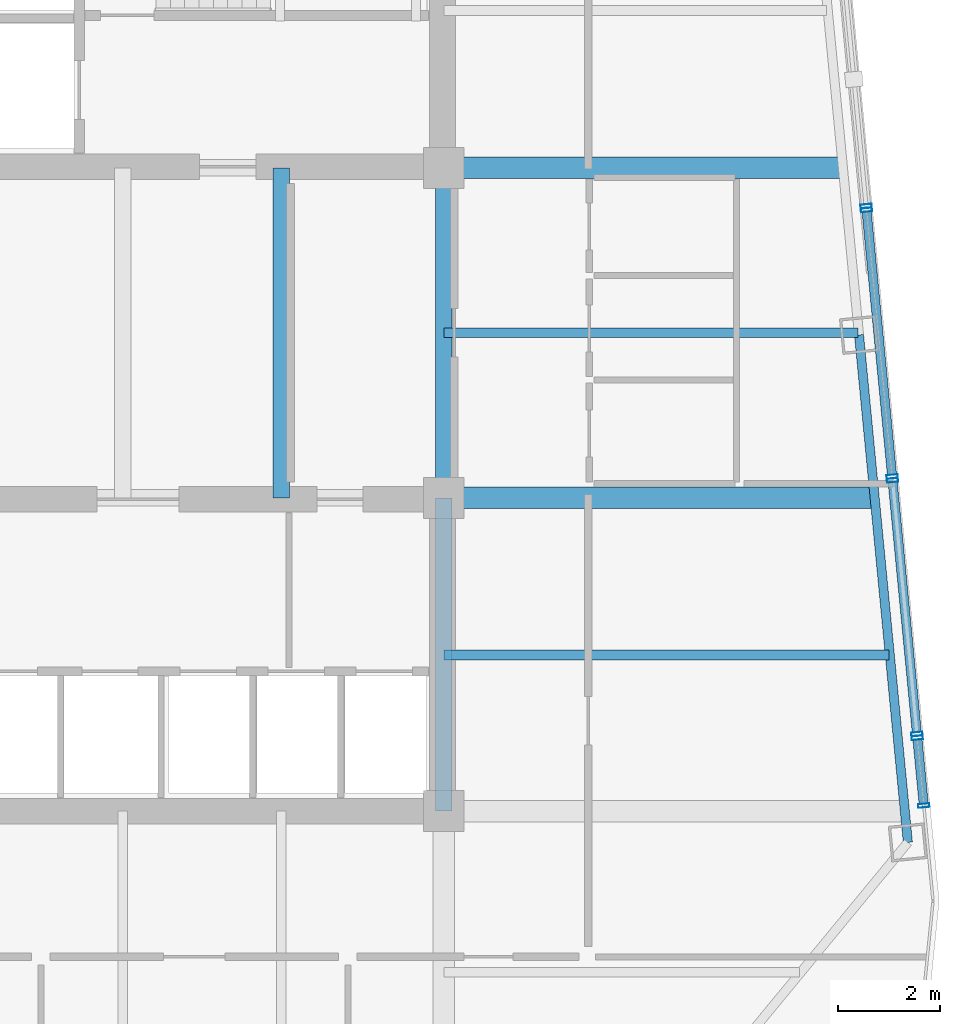
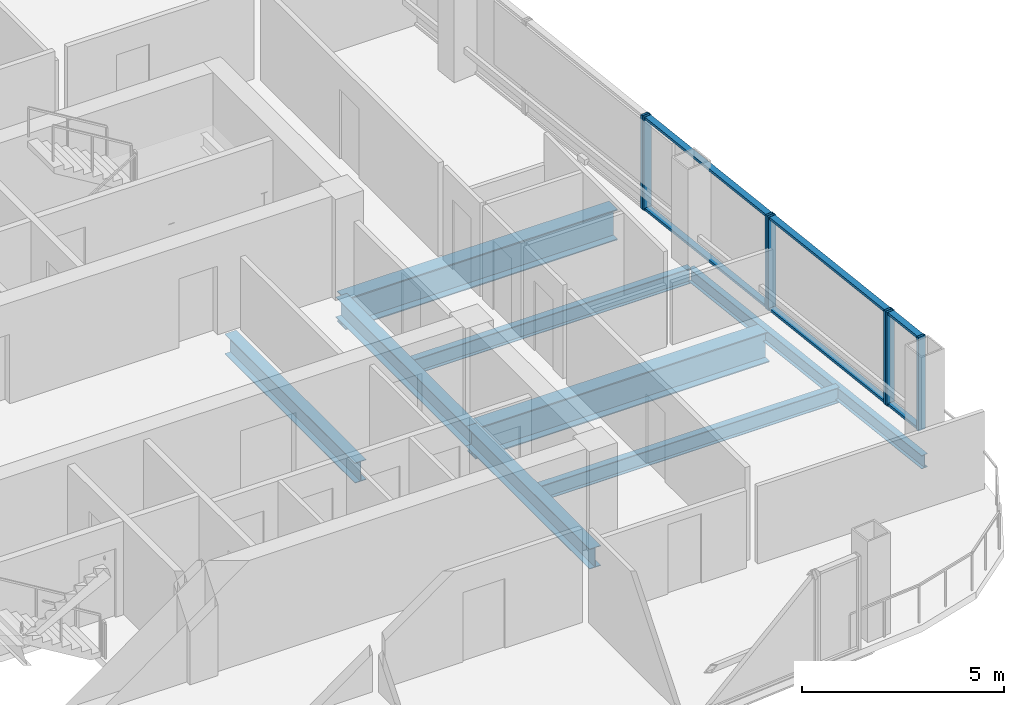
# One storey, part 14 of 29: 13 members, 8 beams, 4 elements without a shape of their own.
"""IFC4 building model written with IfcOpenShell, lengths in metres."""

from ifc_helpers import new_model, si_unit, direction, frame, origin, origin_2d, place, context, subcontext, project, spatial, hollow_rectangle, i_section, extrude, material, layer, layer_set, material_profile, profile_set, type_object, element, aggregate, save


model = new_model("IFC4")

# Units and contexts
model_context = context("Model", 3, precision=1e-05, world=origin(), true_north=direction((0.0, 1.0)))
body_context = subcontext(model_context, "Body", "Model", "MODEL_VIEW")
ifc_project = project(units=[si_unit("LENGTHUNIT", "METRE"), si_unit("AREAUNIT", "SQUARE_METRE"), si_unit("VOLUMEUNIT", "CUBIC_METRE"), si_unit("PLANEANGLEUNIT", "RADIAN"), si_unit("MASSUNIT", "GRAM", prefix="KILO")], contexts=[model_context])

# Site, building, storey
site_placement = place(None, origin())
site = spatial("IfcSite", under=ifc_project, at=site_placement, CompositionType="ELEMENT")
building_placement = place(site_placement, origin())
building = spatial("IfcBuilding", under=site, at=building_placement, Name="Qhalaya Broadcast Tower", CompositionType="ELEMENT")
storey_placement = place(building_placement, frame((0.0, 0.0, 177.5)))
storey = spatial("IfcBuildingStorey", under=building, at=storey_placement, Name="L52", CompositionType="ELEMENT", Elevation=177.5)

# Beams
ifc_material_1 = material(Name="Structural Steel ASTM A992 Grade 50", Category="steel")
ifc_material_profile_1 = material_profile(ifc_material_1, i_section(OverallWidth=0.19189453125, OverallDepth=0.462890625, WebThickness=0.010498046875, FlangeThickness=0.017578125, at=origin_2d()), Name="W18X60")
ifc_profile_set_1 = profile_set([ifc_material_profile_1], Name="Structural Steel ASTM A992 Grade 50")
beam_type_1 = type_object("IfcBeamType", Name="Composite Floor Joist J03", PredefinedType="JOIST", material=ifc_profile_set_1)
beam_1_placement = place(storey_placement, frame((9.375, -5.699951171875, -0.451416015625), z_axis=(1.0, 0.0, 0.0), x_axis=(0.0, 1.0, 0.0)))
element("IfcBeam", 1, at=beam_1_placement, inside=storey, type_object=beam_type_1, Name="L52 J03 L52-JWE3E-1", PredefinedType="JOIST", context=body_context, shape_type="SweptSolid", body=[
    extrude(i_section(OverallWidth=0.19189453125, OverallDepth=0.462890625, WebThickness=0.010498046875, FlangeThickness=0.017578125, at=origin_2d()), origin(), (0.0, 0.0, 1.0), 8.7001953125),
])
beam_2_placement = place(storey_placement, frame((9.375, 0.60009765625, -0.451416015625), z_axis=(1.0, 0.0, 0.0), x_axis=(0.0, 1.0, 0.0)))
element("IfcBeam", 2, at=beam_2_placement, inside=storey, type_object=beam_type_1, Name="L52 J03 L52-JWE4E-1", PredefinedType="JOIST", context=body_context, shape_type="SweptSolid", body=[
    extrude(i_section(OverallWidth=0.19189453125, OverallDepth=0.462890625, WebThickness=0.010498046875, FlangeThickness=0.017578125, at=origin_2d()), origin(), (0.0, 0.0, 1.0), 8.093505859375),
])
ifc_material_profile_2 = material_profile(ifc_material_1, i_section(OverallWidth=0.323974609375, OverallDepth=0.612060546875, WebThickness=0.0126953125, FlangeThickness=0.01904296875, at=origin_2d()), Name="W24X104")
ifc_profile_set_2 = profile_set([ifc_material_profile_2], Name="Structural Steel ASTM A992 Grade 50")
beam_type_2 = type_object("IfcBeamType", Name="Core Frame Tie Beam B04", PredefinedType="BEAM", material=ifc_profile_set_2)
beam_3_placement = place(storey_placement, frame((9.375, -8.75, -0.52587890625), z_axis=(0.0, 1.0, 0.0), x_axis=(-1.0, 0.0, 0.0)))
element("IfcBeam", 3, at=beam_3_placement, inside=storey, type_object=beam_type_2, Name="L52 B04 L52-CCS2", PredefinedType="BEAM", context=body_context, shape_type="SweptSolid", body=[
    extrude(i_section(OverallWidth=0.323974609375, OverallDepth=0.612060546875, WebThickness=0.0126953125, FlangeThickness=0.01904296875, at=origin_2d()), origin(), (0.0, 0.0, 1.0), 6.125),
])
for number, where, z_axis, x_axis, name in (
    (4, (9.375, -2.625, -0.52587890625), (0.0, 1.0, 0.0), (-1.0, 0.0, 0.0), "L52 B04 L52-CCE"),
    (5, (6.199951171875, -2.625, -0.52587890625), (0.0, 1.0, 0.0), (-1.0, 0.0, 0.0), "L52 B04 L52-JC5-1"),
):
    element("IfcBeam", number, at=place(storey_placement, frame(where, z_axis=z_axis, x_axis=x_axis)), inside=storey, type_object=beam_type_2, Name=name, PredefinedType="BEAM", context=body_context, shape_type="SweptSolid", body=[
        extrude(i_section(OverallWidth=0.323974609375, OverallDepth=0.612060546875, WebThickness=0.0126953125, FlangeThickness=0.01904296875, at=origin_2d()), origin(), (0.0, 0.0, 1.0), 6.449951171875),
    ])
ifc_material_profile_3 = material_profile(ifc_material_1, i_section(OverallWidth=0.4189453125, OverallDepth=0.927001953125, WebThickness=0.019287109375, FlangeThickness=0.031982421875, at=origin_2d()), Name="W36X231")
ifc_profile_set_3 = profile_set([ifc_material_profile_3], Name="Structural Steel ASTM A992 Grade 50")
beam_type_3 = type_object("IfcBeamType", Name="Mid Block Primary Girder PG3", PredefinedType="USERDEFINED", material=ifc_profile_set_3)
beam_4_placement = place(storey_placement, frame((9.375, -2.625, -0.68359375), z_axis=(1.0, 0.0, 0.0), x_axis=(0.0, 1.0, 0.0)))
element("IfcBeam", 6, at=beam_4_placement, inside=storey, type_object=beam_type_3, Name="L52 PG3 L52-PGYE2-1", ObjectType="GIRDER", PredefinedType="USERDEFINED", context=body_context, shape_type="SweptSolid", body=[
    extrude(i_section(OverallWidth=0.4189453125, OverallDepth=0.927001953125, WebThickness=0.019287109375, FlangeThickness=0.031982421875, at=origin_2d()), origin(), (0.0, 0.0, 1.0), 8.404052734375),
])
beam_5_placement = place(storey_placement, frame((9.375, 3.824951171875, -0.68359375), z_axis=(1.0, 0.0, 0.0), x_axis=(0.0, 1.0, 0.0)))
element("IfcBeam", 7, at=beam_5_placement, inside=storey, type_object=beam_type_3, Name="L52 PG3 L52-PGYE3-1", ObjectType="GIRDER", PredefinedType="USERDEFINED", context=body_context, shape_type="SweptSolid", body=[
    extrude(i_section(OverallWidth=0.4189453125, OverallDepth=0.927001953125, WebThickness=0.019287109375, FlangeThickness=0.031982421875, at=origin_2d()), origin(), (0.0, 0.0, 1.0), 7.782958984375),
])

# Curtain wall, members
ifc_material_2 = material(Name="Solar-Control Low-E Triple Glazing", Category="glass")
ifc_layer_1 = layer(ifc_material_2, 0.219970703125, Name="Solar-Control Low-E Triple Glazing")
ifc_layer_set_1 = layer_set([ifc_layer_1], Name="Solar-Control Low-E Triple Glazing")
curtain_wall_type_1 = type_object("IfcCurtainWallType", Name="Even-Block 4-Storey Double-Module Curtain Wall CW-03", PredefinedType="NOTDEFINED", material=ifc_layer_set_1)
curtain_wall_1_placement = place(storey_placement, origin())
curtain_wall_1 = element("IfcCurtainWall", 8, at=curtain_wall_1_placement, inside=storey, type_object=curtain_wall_type_1, Name="L52 Unitised Curtain Wall L52-CW-E1", PredefinedType="NOTDEFINED")
ifc_material_3 = material(Name="Anodised Aluminium 6063-T6", Category="aluminium")
ifc_material_profile_4 = material_profile(ifc_material_3, hollow_rectangle(XDim=0.074951171875, YDim=0.219970703125, WallThickness=0.00390625, at=origin_2d()), Name="ALU-MUL 75x220x4")
ifc_profile_set_4 = profile_set([ifc_material_profile_4], Name="Anodised Aluminium 6063-T6")
member_type_1 = type_object("IfcMemberType", Name="Unitised Curtain-Wall Mullion M01", PredefinedType="MULLION", material=ifc_profile_set_4)
member_1_placement = place(storey_placement, frame((18.76025390625, -8.64111328125, 0.0), z_axis=(0.0, 0.0, 1.0), x_axis=(-0.095873796301, 0.99539349766, 0.0)))
member_1 = element("IfcMember", 9, at=member_1_placement, type_object=member_type_1, Name="CW-03 mullion 1", PredefinedType="MULLION", context=body_context, shape_type="SweptSolid", body=[
    extrude(hollow_rectangle(XDim=0.074951171875, YDim=0.219970703125, WallThickness=0.00390625, at=origin_2d()), origin(), (0.0, 0.0, 1.0), 2.830078125),
])
member_2_placement = place(storey_placement, frame((18.6328125, -7.3173828125, 0.0), z_axis=(0.0, 0.0, 1.0), x_axis=(-0.095873796301, 0.99539349766, 0.0)))
member_2 = element("IfcMember", 10, at=member_2_placement, type_object=member_type_1, Name="CW-03 mullion 2", PredefinedType="MULLION", context=body_context, shape_type="SweptSolid", body=[
    extrude(hollow_rectangle(XDim=0.074951171875, YDim=0.219970703125, WallThickness=0.00390625, at=origin_2d()), origin(), (0.0, 0.0, 1.0), 2.830078125),
])

ifc_material_4 = material(Name="Fired Architectural Terracotta", Category="masonry")
ifc_layer_2 = layer(ifc_material_4, 0.219970703125, Name="Fired Architectural Terracotta")
ifc_layer_set_2 = layer_set([ifc_layer_2], Name="Fired Architectural Terracotta")
curtain_wall_type_2 = type_object("IfcCurtainWallType", Name="Block-Cap Unitised Terracotta Spandrel Wall CW-07", PredefinedType="NOTDEFINED", material=ifc_layer_set_2)
curtain_wall_2_placement = place(storey_placement, origin())
curtain_wall_2 = element("IfcCurtainWall", 11, at=curtain_wall_2_placement, inside=storey, type_object=curtain_wall_type_2, Name="L52 Unitised Curtain Wall L52-CW-E2", PredefinedType="NOTDEFINED")
member_3_placement = place(storey_placement, frame((18.62548828125, -7.24267578125, 0.0), z_axis=(0.0, 0.0, 1.0), x_axis=(-0.09584506238, 0.99539626482, 0.0)))
member_3 = element("IfcMember", 12, at=member_3_placement, type_object=member_type_1, Name="CW-07 mullion 1", PredefinedType="MULLION", context=body_context, shape_type="SweptSolid", body=[
    extrude(hollow_rectangle(XDim=0.074951171875, YDim=0.219970703125, WallThickness=0.00390625, at=origin_2d()), origin(), (0.0, 0.0, 1.0), 2.830078125),
])
member_4_placement = place(storey_placement, frame((18.148193359375, -2.284423828125, 0.0), z_axis=(0.0, 0.0, 1.0), x_axis=(-0.09584506238, 0.99539626482, 0.0)))
member_4 = element("IfcMember", 13, at=member_4_placement, type_object=member_type_1, Name="CW-07 mullion 2", PredefinedType="MULLION", context=body_context, shape_type="SweptSolid", body=[
    extrude(hollow_rectangle(XDim=0.074951171875, YDim=0.219970703125, WallThickness=0.00390625, at=origin_2d()), origin(), (0.0, 0.0, 1.0), 2.830078125),
])

curtain_wall_3_placement = place(storey_placement, origin())
curtain_wall_3 = element("IfcCurtainWall", 14, at=curtain_wall_3_placement, inside=storey, type_object=curtain_wall_type_1, Name="L52 Unitised Curtain Wall L52-CW-E3", PredefinedType="NOTDEFINED")
member_5_placement = place(storey_placement, frame((18.140869140625, -2.2099609375, 0.0), z_axis=(0.0, 0.0, 1.0), x_axis=(-0.095839772631, 0.995396774147, 0.0)))
member_5 = element("IfcMember", 15, at=member_5_placement, type_object=member_type_1, Name="CW-03 mullion 1", PredefinedType="MULLION", context=body_context, shape_type="SweptSolid", body=[
    extrude(hollow_rectangle(XDim=0.074951171875, YDim=0.219970703125, WallThickness=0.00390625, at=origin_2d()), origin(), (0.0, 0.0, 1.0), 2.830078125),
])
member_6_placement = place(storey_placement, frame((17.63916015625, 3.001953125, 0.0), z_axis=(0.0, 0.0, 1.0), x_axis=(-0.095839772631, 0.995396774147, 0.0)))
member_6 = element("IfcMember", 16, at=member_6_placement, type_object=member_type_1, Name="CW-03 mullion 2", PredefinedType="MULLION", context=body_context, shape_type="SweptSolid", body=[
    extrude(hollow_rectangle(XDim=0.074951171875, YDim=0.219970703125, WallThickness=0.00390625, at=origin_2d()), origin(), (0.0, 0.0, 1.0), 2.830078125),
])

# Curtain wall, member
curtain_wall_4_placement = place(storey_placement, origin())
curtain_wall_4 = element("IfcCurtainWall", 17, at=curtain_wall_4_placement, inside=storey, type_object=curtain_wall_type_2, Name="L52 Unitised Curtain Wall L52-CW-E4", PredefinedType="NOTDEFINED")
member_7_placement = place(storey_placement, frame((17.6318359375, 3.07666015625, 0.0), z_axis=(0.0, 0.0, 1.0), x_axis=(-0.095846949325, 0.995396083127, 0.0)))
member_7 = element("IfcMember", 18, at=member_7_placement, type_object=member_type_1, Name="CW-07 mullion 1", PredefinedType="MULLION", context=body_context, shape_type="SweptSolid", body=[
    extrude(hollow_rectangle(XDim=0.074951171875, YDim=0.219970703125, WallThickness=0.00390625, at=origin_2d()), origin(), (0.0, 0.0, 1.0), 2.830078125),
])
aggregate(curtain_wall_4, [member_7])

# Member
ifc_material_profile_5 = material_profile(ifc_material_3, hollow_rectangle(XDim=0.074951171875, YDim=0.179931640625, WallThickness=0.00390625, at=origin_2d()), Name="ALU-TRN 75x180x4")
ifc_profile_set_5 = profile_set([ifc_material_profile_5], Name="Anodised Aluminium 6063-T6")
member_type_2 = type_object("IfcMemberType", Name="Unitised Curtain-Wall Transom T01", PredefinedType="USERDEFINED", material=ifc_profile_set_5)
member_8_placement = place(storey_placement, frame((18.756591796875, -8.603759765625, 0.03759765625), z_axis=(-0.095920015465, 0.995389044863, 0.0), x_axis=(0.0, 0.0, 1.0)))
member_8 = element("IfcMember", 19, at=member_8_placement, type_object=member_type_2, Name="CW-03 transom 1.1", ObjectType="TRANSOM", PredefinedType="USERDEFINED", context=body_context, shape_type="SweptSolid", body=[
    extrude(hollow_rectangle(XDim=0.074951171875, YDim=0.179931640625, WallThickness=0.00390625, at=origin_2d()), origin(), (0.0, 0.0, 1.0), 1.2548828125),
])

member_9_placement = place(storey_placement, frame((18.756591796875, -8.603759765625, 2.79248046875), z_axis=(-0.095920015465, 0.995389044863, 0.0), x_axis=(0.0, 0.0, 1.0)))
member_9 = element("IfcMember", 20, at=member_9_placement, type_object=member_type_2, Name="CW-03 transom 1.2", ObjectType="TRANSOM", PredefinedType="USERDEFINED", context=body_context, shape_type="SweptSolid", body=[
    extrude(hollow_rectangle(XDim=0.074951171875, YDim=0.179931640625, WallThickness=0.00390625, at=origin_2d()), origin(), (0.0, 0.0, 1.0), 1.2548828125),
])

aggregate(curtain_wall_1, [member_1, member_2, member_8, member_9])

member_10_placement = place(storey_placement, frame((18.621826171875, -7.205322265625, 0.03759765625), z_axis=(-0.095842309482, 0.995396529888, 0.0), x_axis=(0.0, 0.0, 1.0)))
member_10 = element("IfcMember", 21, at=member_10_placement, type_object=member_type_2, Name="CW-07 transom 1.1", ObjectType="TRANSOM", PredefinedType="USERDEFINED", context=body_context, shape_type="SweptSolid", body=[
    extrude(hollow_rectangle(XDim=0.074951171875, YDim=0.179931640625, WallThickness=0.00390625, at=origin_2d()), origin(), (0.0, 0.0, 1.0), 4.90625),
])

member_11_placement = place(storey_placement, frame((18.621826171875, -7.205322265625, 2.79248046875), z_axis=(-0.095842309482, 0.995396529888, 0.0), x_axis=(0.0, 0.0, 1.0)))
member_11 = element("IfcMember", 22, at=member_11_placement, type_object=member_type_2, Name="CW-07 transom 1.2", ObjectType="TRANSOM", PredefinedType="USERDEFINED", context=body_context, shape_type="SweptSolid", body=[
    extrude(hollow_rectangle(XDim=0.074951171875, YDim=0.179931640625, WallThickness=0.00390625, at=origin_2d()), origin(), (0.0, 0.0, 1.0), 4.90625),
])

aggregate(curtain_wall_2, [member_3, member_4, member_10, member_11])

member_12_placement = place(storey_placement, frame((18.13720703125, -2.172607421875, 0.03759765625), z_axis=(-0.09584040213, 0.995396713537, 0.0), x_axis=(0.0, 0.0, 1.0)))
member_12 = element("IfcMember", 23, at=member_12_placement, type_object=member_type_2, Name="CW-03 transom 1.1", ObjectType="TRANSOM", PredefinedType="USERDEFINED", context=body_context, shape_type="SweptSolid", body=[
    extrude(hollow_rectangle(XDim=0.074951171875, YDim=0.179931640625, WallThickness=0.00390625, at=origin_2d()), origin(), (0.0, 0.0, 1.0), 5.160888671875),
])

member_13_placement = place(storey_placement, frame((18.13720703125, -2.172607421875, 2.79248046875), z_axis=(-0.09584040213, 0.995396713537, 0.0), x_axis=(0.0, 0.0, 1.0)))
member_13 = element("IfcMember", 24, at=member_13_placement, type_object=member_type_2, Name="CW-03 transom 1.2", ObjectType="TRANSOM", PredefinedType="USERDEFINED", context=body_context, shape_type="SweptSolid", body=[
    extrude(hollow_rectangle(XDim=0.074951171875, YDim=0.179931640625, WallThickness=0.00390625, at=origin_2d()), origin(), (0.0, 0.0, 1.0), 5.160888671875),
])

aggregate(curtain_wall_3, [member_5, member_6, member_12, member_13])

# Beam
ifc_material_profile_6 = material_profile(ifc_material_1, i_section(OverallWidth=0.177978515625, OverallDepth=0.406005859375, WebThickness=0.0078125, FlangeThickness=0.0126953125, at=origin_2d()), Name="W16X40")
ifc_profile_set_6 = profile_set([ifc_material_profile_6], Name="Structural Steel ASTM A992 Grade 50")
beam_type_4 = type_object("IfcBeamType", Name="Upper Perimeter Spandrel Beam SP2", PredefinedType="SPANDREL", material=ifc_profile_set_6)
beam_6_placement = place(storey_placement, frame((18.44775390625, -9.362060546875, -0.423095703125), z_axis=(-0.095826293365, 0.995398071879, 0.0), x_axis=(-0.995398071879, -0.095826293365, 0.0)))
element("IfcBeam", 25, at=beam_6_placement, inside=storey, type_object=beam_type_4, Name="L52 SP2 L52-SPR-05", PredefinedType="SPANDREL", context=body_context, shape_type="SweptSolid", body=[
    extrude(i_section(OverallWidth=0.177978515625, OverallDepth=0.406005859375, WebThickness=0.0078125, FlangeThickness=0.0126953125, at=origin_2d()), origin(), (0.0, 0.0, 1.0), 9.966796875),
])

save(model, "model.ifc")
